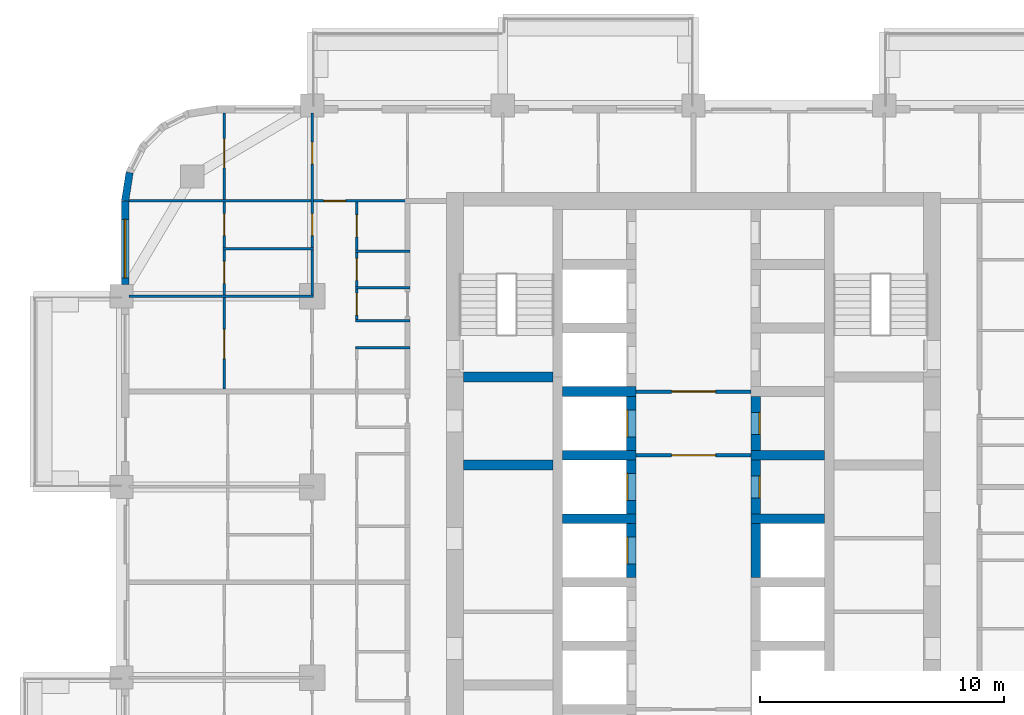
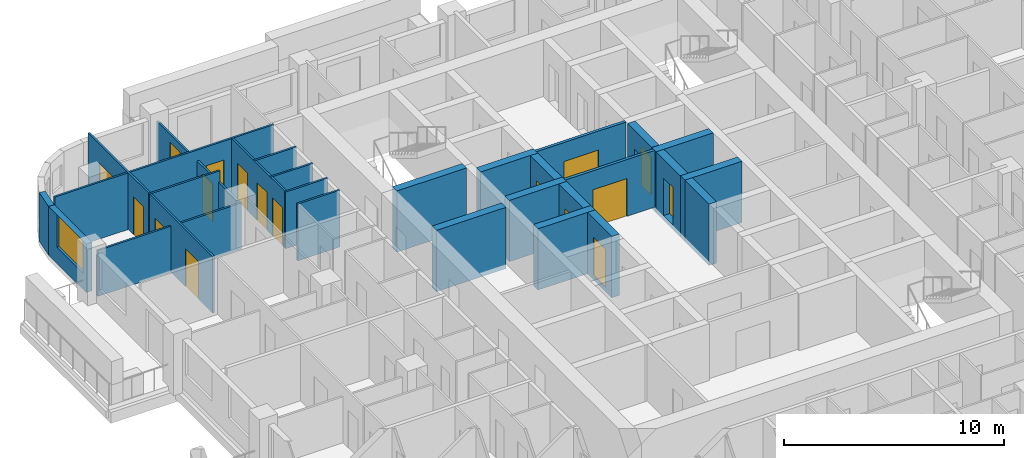
# One storey, part 10 of 18: 27 walls, 17 doors, 1 window, 18 openings.
"""IFC4 building model written with IfcOpenShell, lengths in metres."""

from ifc_helpers import new_model, si_unit, direction, frame, frame_2d, origin, place, context, subcontext, project, spatial, rectangle, extrude, material, layer, layer_set, type_object, element, fill, save


model = new_model("IFC4")

# Units and contexts
model_context = context("Model", 3, precision=1e-05, world=origin(), true_north=direction((0.0, 1.0)))
body_context = subcontext(model_context, "Body", "Model", "MODEL_VIEW")
ifc_project = project(units=[si_unit("LENGTHUNIT", "METRE"), si_unit("AREAUNIT", "SQUARE_METRE"), si_unit("VOLUMEUNIT", "CUBIC_METRE"), si_unit("PLANEANGLEUNIT", "RADIAN"), si_unit("MASSUNIT", "GRAM", prefix="KILO")], contexts=[model_context])

# Site, building, storey
site_placement = place(None, origin())
site = spatial("IfcSite", under=ifc_project, at=site_placement, CompositionType="ELEMENT")
building_placement = place(site_placement, origin())
building = spatial("IfcBuilding", under=site, at=building_placement, Name="Ludao Terraces", CompositionType="ELEMENT")
storey_placement = place(building_placement, frame((0.0, 0.0, 61.39990234375)))
storey = spatial("IfcBuildingStorey", under=building, at=storey_placement, Name="L16", CompositionType="ELEMENT", Elevation=61.39990234375)

# Wall, opening, window
ifc_material_1 = material(Name="Granite cladding", Category="masonry")
ifc_layer_1 = layer(ifc_material_1, 0.0400390625, Category="stone")
ifc_material_2 = material(Name="Mineral wool")
ifc_layer_2 = layer(ifc_material_2, 0.06005859375)
ifc_material_3 = material(Name="Concrete C40", Category="concrete")
ifc_layer_3 = layer(ifc_material_3, 0.199951171875, Category="concrete")
ifc_layer_set_1 = layer_set([ifc_layer_1, ifc_layer_2, ifc_layer_3], Name="ENV Stone-clad wall 300")
wall_type_1 = type_object("IfcWallType", Name="ENV Stone-clad wall 300", PredefinedType="SOLIDWALL", material=ifc_layer_set_1)
wall_1_placement = place(storey_placement, frame((61.75, 81.074951171875, 0.0), z_axis=(0.0, 0.0, 1.0), x_axis=(0.0, 1.0, 0.0)))
wall_1 = element("IfcWall", 1, at=wall_1_placement, inside=storey, type_object=wall_type_1, Name="EW-L16-W6", PredefinedType="SOLIDWALL", context=body_context, shape_type="SweptSolid", body=[
    extrude(rectangle(XDim=3.425048828125, YDim=0.300048828125, at=frame_2d((1.71240234375, 0.0))), origin(), (0.0, 0.0, 1.0), 2.7001953125),
])
opening_1_placement = place(wall_1_placement, frame((0.27490234375, 0.0, 0.89990234375)))
opening_1 = element("IfcOpeningElement", 2, at=opening_1_placement, cuts=wall_1, Name="Opening W1", PredefinedType="OPENING", context=body_context, shape_type="SweptSolid", body=[
    extrude(rectangle(XDim=2.39990234375, YDim=1.800048828125, at=frame_2d((1.199951171875, 0.89990234375))), frame((0.0, 0.16015625, 0.0), z_axis=(0.0, -1.0, 0.0), x_axis=(1.0, 0.0, 0.0)), (0.0, 0.0, 1.0), 0.320068359375),
])
ifc_material_4 = material(Name="Clear glass in aluminium frame", Category="aluminium")
ifc_layer_4 = layer(ifc_material_4, 0.06005859375)
ifc_layer_set_2 = layer_set([ifc_layer_4], Name="ENV Window W1 2400x1800")
window_type = type_object("IfcWindowType", Name="ENV Window W1 2400x1800", PartitioningType="DOUBLE_PANEL_VERTICAL", PredefinedType="WINDOW", material=ifc_layer_set_2)
window_placement = place(opening_1_placement, origin())
window = element("IfcWindow", 3, at=window_placement, inside=storey, type_object=window_type, Name="W-L16-W6-1", OverallHeight=1.800048828125, OverallWidth=2.39990234375, PartitioningType="DOUBLE_PANEL_VERTICAL", PredefinedType="WINDOW", context=body_context, shape_type="SweptSolid", body=[
    extrude(rectangle(XDim=2.39990234375, YDim=1.800048828125, at=frame_2d((1.199951171875, 0.89990234375))), frame((0.0, 0.030029296875, 0.0), z_axis=(0.0, -1.0, 0.0), x_axis=(1.0, 0.0, 0.0)), (0.0, 0.0, 1.0), 0.06005859375),
])
fill(opening_1, window)

# Wall
wall_2_placement = place(storey_placement, frame((61.93359375, 85.65869140625, 0.0), z_axis=(0.0, 0.0, 1.0), x_axis=(-0.156496880861, -0.987678452879, 0.0)))
element("IfcWall", 4, at=wall_2_placement, inside=storey, type_object=wall_type_1, Name="EW-L16-NW5", PredefinedType="SOLIDWALL", context=body_context, shape_type="SweptSolid", body=[
    extrude(rectangle(XDim=1.173095703125, YDim=0.300048828125, at=frame_2d((0.58642578125, 0.0))), origin(), (0.0, 0.0, 1.0), 2.7001953125),
])

# Wall, opening, door
ifc_material_5 = material(Name="Fire-rated gypsum plasterboard", Category="gypsum")
ifc_layer_5 = layer(ifc_material_5, 0.012451171875, Category="gypsum")
ifc_layer_6 = layer(ifc_material_2, 0.10009765625, Name="insulation")
ifc_material_6 = material(Name="Steel Q235", Category="steel")
ifc_layer_7 = layer(ifc_material_6, 0.02490234375, Name="stud")
ifc_layer_8 = layer(ifc_material_5, 0.012451171875, Category="gypsum")
ifc_layer_set_3 = layer_set([ifc_layer_5, ifc_layer_6, ifc_layer_7, ifc_layer_8], Name="INT Core partition 150")
wall_type_2 = type_object("IfcWallType", Name="INT Core partition 150", PredefinedType="PARTITIONING", material=ifc_layer_set_3)
wall_3_placement = place(storey_placement, frame((82.650146484375, 74.10009765625, 0.0), z_axis=(0.0, 0.0, 1.0), x_axis=(1.0, 0.0, 0.0)))
wall_3 = element("IfcWall", 5, at=wall_3_placement, inside=storey, type_object=wall_type_2, Name="PW-L16-PW058", PredefinedType="PARTITIONING", context=body_context, shape_type="SweptSolid", body=[
    extrude(rectangle(XDim=4.699951171875, YDim=0.14990234375, at=frame_2d((2.35009765625, 0.0))), origin(), (0.0, 0.0, 1.0), 3.150146484375),
])
opening_2_placement = place(wall_3_placement, frame((1.449951171875, 0.0, 0.0)))
opening_2 = element("IfcOpeningElement", 6, at=opening_2_placement, cuts=wall_3, Name="Opening R05-118", PredefinedType="OPENING", context=body_context, shape_type="SweptSolid", body=[
    extrude(rectangle(XDim=1.800048828125, YDim=2.10009765625, at=frame_2d((0.89990234375, 1.050048828125))), frame((0.0, 0.0849609375, 0.0), z_axis=(0.0, -1.0, 0.0), x_axis=(1.0, 0.0, 0.0)), (0.0, 0.0, 1.0), 0.169921875),
])
door_type_1 = type_object("IfcDoorType", Name="INT Fire lobby door 1800", OperationType="DOUBLE_DOOR_SINGLE_SWING", PredefinedType="DOOR", material=ifc_material_6)
door_1_placement = place(opening_2_placement, origin())
door_1 = element("IfcDoor", 7, at=door_1_placement, inside=storey, type_object=door_type_1, Name="DOOR 118", OperationType="DOUBLE_DOOR_SINGLE_SWING", OverallHeight=2.10009765625, OverallWidth=1.800048828125, PredefinedType="DOOR", context=body_context, shape_type="SweptSolid", body=[
    extrude(rectangle(XDim=1.800048828125, YDim=2.10009765625, at=frame_2d((0.89990234375, 1.050048828125))), frame((0.0, 0.02490234375, 0.0), z_axis=(0.0, -1.0, 0.0), x_axis=(1.0, 0.0, 0.0)), (0.0, 0.0, 1.0), 0.050048828125),
])
fill(opening_2, door_1)

wall_4_placement = place(storey_placement, frame((82.650146484375, 76.699951171875, 0.0), z_axis=(0.0, 0.0, 1.0), x_axis=(1.0, 0.0, 0.0)))
wall_4 = element("IfcWall", 8, at=wall_4_placement, inside=storey, type_object=wall_type_2, Name="PW-L16-PW065", PredefinedType="PARTITIONING", context=body_context, shape_type="SweptSolid", body=[
    extrude(rectangle(XDim=4.699951171875, YDim=0.14990234375, at=frame_2d((2.35009765625, 0.0))), origin(), (0.0, 0.0, 1.0), 3.150146484375),
])
opening_3_placement = place(wall_4_placement, frame((1.449951171875, 0.0, 0.0)))
opening_3 = element("IfcOpeningElement", 9, at=opening_3_placement, cuts=wall_4, Name="Opening R05-130", PredefinedType="OPENING", context=body_context, shape_type="SweptSolid", body=[
    extrude(rectangle(XDim=1.800048828125, YDim=2.10009765625, at=frame_2d((0.89990234375, 1.050048828125))), frame((0.0, 0.0849609375, 0.0), z_axis=(0.0, -1.0, 0.0), x_axis=(1.0, 0.0, 0.0)), (0.0, 0.0, 1.0), 0.169921875),
])
door_2_placement = place(opening_3_placement, origin())
door_2 = element("IfcDoor", 10, at=door_2_placement, inside=storey, type_object=door_type_1, Name="DOOR 130", OperationType="DOUBLE_DOOR_SINGLE_SWING", OverallHeight=2.10009765625, OverallWidth=1.800048828125, PredefinedType="DOOR", context=body_context, shape_type="SweptSolid", body=[
    extrude(rectangle(XDim=1.800048828125, YDim=2.10009765625, at=frame_2d((0.89990234375, 1.050048828125))), frame((0.0, 0.02490234375, 0.0), z_axis=(0.0, -1.0, 0.0), x_axis=(1.0, 0.0, 0.0)), (0.0, 0.0, 1.0), 0.050048828125),
])
fill(opening_3, door_2)

# Walls
ifc_material_7 = material(Name="Gypsum plasterboard", Category="gypsum")
ifc_layer_9 = layer(ifc_material_7, 0.012451171875, Category="gypsum")
ifc_layer_10 = layer(ifc_material_2, 0.06005859375, Name="insulation")
ifc_layer_11 = layer(ifc_material_6, 0.014892578125, Name="stud")
ifc_layer_12 = layer(ifc_material_7, 0.012451171875, Category="gypsum")
ifc_layer_set_4 = layer_set([ifc_layer_9, ifc_layer_10, ifc_layer_11, ifc_layer_12], Name="INT Partition 100")
wall_type_3 = type_object("IfcWallType", Name="INT Partition 100", PredefinedType="PARTITIONING", material=ifc_layer_set_4)
for number, where, z_axis, x_axis, name in (
    (11, (71.18017578125, 78.5, 0.0), (0.0, 0.0, 1.0), (1.0, 0.0, 0.0), "PW-L16-PW067"),
    (12, (71.18017578125, 79.60009765625, 0.0), (0.0, 0.0, 1.0), (1.0, 0.0, 0.0), "PW-L16-PW069"),
):
    element("IfcWall", number, at=place(storey_placement, frame(where, z_axis=z_axis, x_axis=x_axis)), inside=storey, type_object=wall_type_3, Name=name, PredefinedType="PARTITIONING", context=body_context, shape_type="SweptSolid", body=[
        extrude(rectangle(XDim=2.219970703125, YDim=0.10009765625, at=frame_2d((1.10986328125, 0.0))), origin(), (0.0, 0.0, 1.0), 3.150146484375),
    ])
wall_5_placement = place(storey_placement, frame((61.900146484375, 80.60009765625, 0.0), z_axis=(0.0, 0.0, 1.0), x_axis=(1.0, 0.0, 0.0)))
element("IfcWall", 13, at=wall_5_placement, inside=storey, type_object=wall_type_3, Name="PW-L16-PW070", PredefinedType="PARTITIONING", context=body_context, shape_type="SweptSolid", body=[
    extrude(rectangle(XDim=7.550048828125, YDim=0.10009765625, at=frame_2d((3.77490234375, 0.0))), origin(), (0.0, 0.0, 1.0), 2.550048828125),
])
for number, where, z_axis, x_axis, name in (
    (14, (71.18017578125, 80.949951171875, 0.0), (0.0, 0.0, 1.0), (1.0, 0.0, 0.0), "PW-L16-PW072"),
    (15, (71.18017578125, 82.449951171875, 0.0), (0.0, 0.0, 1.0), (1.0, 0.0, 0.0), "PW-L16-PW074"),
):
    element("IfcWall", number, at=place(storey_placement, frame(where, z_axis=z_axis, x_axis=x_axis)), inside=storey, type_object=wall_type_3, Name=name, PredefinedType="PARTITIONING", context=body_context, shape_type="SweptSolid", body=[
        extrude(rectangle(XDim=2.219970703125, YDim=0.10009765625, at=frame_2d((1.10986328125, 0.0))), origin(), (0.0, 0.0, 1.0), 3.150146484375),
    ])
wall_6_placement = place(storey_placement, frame((65.75, 82.550048828125, 0.0), z_axis=(0.0, 0.0, 1.0), x_axis=(1.0, 0.0, 0.0)))
element("IfcWall", 16, at=wall_6_placement, inside=storey, type_object=wall_type_3, Name="PW-L16-PW075", PredefinedType="PARTITIONING", context=body_context, shape_type="SweptSolid", body=[
    extrude(rectangle(XDim=3.7001953125, YDim=0.10009765625, at=frame_2d((1.85009765625, 0.0))), origin(), (0.0, 0.0, 1.0), 3.150146484375),
])

# Wall, opening, door
wall_7_placement = place(storey_placement, frame((61.900146484375, 84.5, 0.0), z_axis=(0.0, 0.0, 1.0), x_axis=(1.0, 0.0, 0.0)))
wall_7 = element("IfcWall", 17, at=wall_7_placement, inside=storey, type_object=wall_type_3, Name="PW-L16-PW077", PredefinedType="PARTITIONING", context=body_context, shape_type="SweptSolid", body=[
    extrude(rectangle(XDim=11.5, YDim=0.10009765625, at=frame_2d((5.75, 0.0))), origin(), (0.0, 0.0, 1.0), 3.150146484375),
])
opening_4_placement = place(wall_7_placement, frame((7.965087890625, 0.0, 0.0)))
opening_4 = element("IfcOpeningElement", 18, at=opening_4_placement, cuts=wall_7, Name="Opening R05-157", PredefinedType="OPENING", context=body_context, shape_type="SweptSolid", body=[
    extrude(rectangle(XDim=0.89990234375, YDim=2.10009765625, at=frame_2d((0.449951171875, 1.050048828125))), frame((0.0, 0.06005859375, 0.0), z_axis=(0.0, -1.0, 0.0), x_axis=(1.0, 0.0, 0.0)), (0.0, 0.0, 1.0), 0.1201171875),
])
ifc_material_8 = material(Name="Timber door leaf", Category="wood")
door_type_2 = type_object("IfcDoorType", Name="INT Room door 900", OperationType="SINGLE_SWING_LEFT", PredefinedType="DOOR", material=ifc_material_8)
door_3_placement = place(opening_4_placement, origin())
door_3 = element("IfcDoor", 19, at=door_3_placement, inside=storey, type_object=door_type_2, Name="DOOR 157", OperationType="SINGLE_SWING_RIGHT", OverallHeight=2.10009765625, OverallWidth=0.89990234375, PredefinedType="DOOR", context=body_context, shape_type="SweptSolid", body=[
    extrude(rectangle(XDim=0.89990234375, YDim=2.10009765625, at=frame_2d((0.449951171875, 1.050048828125))), frame((0.0, 0.02490234375, 0.0), z_axis=(0.0, -1.0, 0.0), x_axis=(1.0, 0.0, 0.0)), (0.0, 0.0, 1.0), 0.050048828125),
])
fill(opening_4, door_3)

# Wall, openings, doors
wall_8_placement = place(storey_placement, frame((65.800048828125, 76.800048828125, 0.0), z_axis=(0.0, 0.0, 1.0), x_axis=(0.0, 1.0, 0.0)))
wall_8 = element("IfcWall", 20, at=wall_8_placement, inside=storey, type_object=wall_type_3, Name="PW-L16-PW082", PredefinedType="PARTITIONING", context=body_context, shape_type="SweptSolid", body=[
    extrude(rectangle(XDim=11.300048828125, YDim=0.10009765625, at=frame_2d((5.64990234375, 0.0))), origin(), (0.0, 0.0, 1.0), 3.150146484375),
])
opening_5_placement = place(wall_8_placement, frame((1.25, 0.0, 0.0)))
opening_5 = element("IfcOpeningElement", 21, at=opening_5_placement, cuts=wall_8, Name="Opening R05-137", PredefinedType="OPENING", context=body_context, shape_type="SweptSolid", body=[
    extrude(rectangle(XDim=1.199951171875, YDim=2.10009765625, at=frame_2d((0.60009765625, 1.050048828125))), frame((0.0, 0.06005859375, 0.0), z_axis=(0.0, -1.0, 0.0), x_axis=(1.0, 0.0, 0.0)), (0.0, 0.0, 1.0), 0.1201171875),
])
opening_6_placement = place(wall_8_placement, frame((4.324951171875, 0.0, 0.0)))
opening_6 = element("IfcOpeningElement", 22, at=opening_6_placement, cuts=wall_8, Name="Opening R05-146", PredefinedType="OPENING", context=body_context, shape_type="SweptSolid", body=[
    extrude(rectangle(XDim=0.89990234375, YDim=2.10009765625, at=frame_2d((0.449951171875, 1.050048828125))), frame((0.0, 0.06005859375, 0.0), z_axis=(0.0, -1.0, 0.0), x_axis=(1.0, 0.0, 0.0)), (0.0, 0.0, 1.0), 0.1201171875),
])
opening_7_placement = place(wall_8_placement, frame((6.27490234375, 0.0, 0.0)))
opening_7 = element("IfcOpeningElement", 23, at=opening_7_placement, cuts=wall_8, Name="Opening R05-153", PredefinedType="OPENING", context=body_context, shape_type="SweptSolid", body=[
    extrude(rectangle(XDim=0.89990234375, YDim=2.10009765625, at=frame_2d((0.449951171875, 1.050048828125))), frame((0.0, 0.06005859375, 0.0), z_axis=(0.0, -1.0, 0.0), x_axis=(1.0, 0.0, 0.0)), (0.0, 0.0, 1.0), 0.1201171875),
])
opening_8_placement = place(wall_8_placement, frame((9.050048828125, 0.0, 0.0)))
opening_8 = element("IfcOpeningElement", 24, at=opening_8_placement, cuts=wall_8, Name="Opening R05-159", PredefinedType="OPENING", context=body_context, shape_type="SweptSolid", body=[
    extrude(rectangle(XDim=1.199951171875, YDim=2.10009765625, at=frame_2d((0.60009765625, 1.050048828125))), frame((0.0, 0.06005859375, 0.0), z_axis=(0.0, -1.0, 0.0), x_axis=(1.0, 0.0, 0.0)), (0.0, 0.0, 1.0), 0.1201171875),
])
door_type_3 = type_object("IfcDoorType", Name="INT Bathroom door 900", OperationType="SINGLE_SWING_LEFT", PredefinedType="DOOR", material=ifc_material_8)
door_4_placement = place(opening_6_placement, origin())
door_4 = element("IfcDoor", 25, at=door_4_placement, inside=storey, type_object=door_type_3, Name="DOOR 146", OperationType="SINGLE_SWING_RIGHT", OverallHeight=2.10009765625, OverallWidth=0.89990234375, PredefinedType="DOOR", context=body_context, shape_type="SweptSolid", body=[
    extrude(rectangle(XDim=0.89990234375, YDim=2.10009765625, at=frame_2d((0.449951171875, 1.050048828125))), frame((0.0, 0.02490234375, 0.0), z_axis=(0.0, -1.0, 0.0), x_axis=(1.0, 0.0, 0.0)), (0.0, 0.0, 1.0), 0.050048828125),
])
fill(opening_6, door_4)
door_type_4 = type_object("IfcDoorType", Name="INT Double door 1200", OperationType="DOUBLE_DOOR_SINGLE_SWING", PredefinedType="DOOR", material=ifc_material_8)
door_5_placement = place(opening_5_placement, origin())
door_5 = element("IfcDoor", 26, at=door_5_placement, inside=storey, type_object=door_type_4, Name="DOOR 137", OperationType="DOUBLE_DOOR_SINGLE_SWING", OverallHeight=2.10009765625, OverallWidth=1.199951171875, PredefinedType="DOOR", context=body_context, shape_type="SweptSolid", body=[
    extrude(rectangle(XDim=1.199951171875, YDim=2.10009765625, at=frame_2d((0.60009765625, 1.050048828125))), frame((0.0, 0.02490234375, 0.0), z_axis=(0.0, -1.0, 0.0), x_axis=(1.0, 0.0, 0.0)), (0.0, 0.0, 1.0), 0.050048828125),
])
fill(opening_5, door_5)
door_6_placement = place(opening_8_placement, origin())
door_6 = element("IfcDoor", 27, at=door_6_placement, inside=storey, type_object=door_type_4, Name="DOOR 159", OperationType="DOUBLE_DOOR_SINGLE_SWING", OverallHeight=2.10009765625, OverallWidth=1.199951171875, PredefinedType="DOOR", context=body_context, shape_type="SweptSolid", body=[
    extrude(rectangle(XDim=1.199951171875, YDim=2.10009765625, at=frame_2d((0.60009765625, 1.050048828125))), frame((0.0, 0.02490234375, 0.0), z_axis=(0.0, -1.0, 0.0), x_axis=(1.0, 0.0, 0.0)), (0.0, 0.0, 1.0), 0.050048828125),
])
fill(opening_8, door_6)
door_7_placement = place(opening_7_placement, origin())
door_7 = element("IfcDoor", 28, at=door_7_placement, inside=storey, type_object=door_type_2, Name="DOOR 153", OperationType="SINGLE_SWING_RIGHT", OverallHeight=2.10009765625, OverallWidth=0.89990234375, PredefinedType="DOOR", context=body_context, shape_type="SweptSolid", body=[
    extrude(rectangle(XDim=0.89990234375, YDim=2.10009765625, at=frame_2d((0.449951171875, 1.050048828125))), frame((0.0, 0.02490234375, 0.0), z_axis=(0.0, -1.0, 0.0), x_axis=(1.0, 0.0, 0.0)), (0.0, 0.0, 1.0), 0.050048828125),
])
fill(opening_7, door_7)

wall_9_placement = place(storey_placement, frame((69.39990234375, 80.60009765625, 0.0), z_axis=(0.0, 0.0, 1.0), x_axis=(0.0, 1.0, 0.0)))
wall_9 = element("IfcWall", 29, at=wall_9_placement, inside=storey, type_object=wall_type_3, Name="PW-L16-PW085-3", PredefinedType="PARTITIONING", context=body_context, shape_type="SweptSolid", body=[
    extrude(rectangle(XDim=7.5, YDim=0.10009765625, at=frame_2d((3.75, 0.0))), origin(), (0.0, 0.0, 1.0), 2.550048828125),
])
opening_9_placement = place(wall_9_placement, frame((2.47509765625, 0.0, 0.0)))
opening_9 = element("IfcOpeningElement", 30, at=opening_9_placement, cuts=wall_9, Name="Opening R05-154", PredefinedType="OPENING", context=body_context, shape_type="SweptSolid", body=[
    extrude(rectangle(XDim=0.89990234375, YDim=2.10009765625, at=frame_2d((0.449951171875, 1.050048828125))), frame((0.0, 0.06005859375, 0.0), z_axis=(0.0, -1.0, 0.0), x_axis=(1.0, 0.0, 0.0)), (0.0, 0.0, 1.0), 0.1201171875),
])
opening_10_placement = place(wall_9_placement, frame((5.39990234375, 0.0, 0.0)))
opening_10 = element("IfcOpeningElement", 31, at=opening_10_placement, cuts=wall_9, Name="Opening R05-160", PredefinedType="OPENING", context=body_context, shape_type="SweptSolid", body=[
    extrude(rectangle(XDim=0.89990234375, YDim=2.10009765625, at=frame_2d((0.449951171875, 1.050048828125))), frame((0.0, 0.06005859375, 0.0), z_axis=(0.0, -1.0, 0.0), x_axis=(1.0, 0.0, 0.0)), (0.0, 0.0, 1.0), 0.1201171875),
])
door_8_placement = place(opening_9_placement, origin())
door_8 = element("IfcDoor", 32, at=door_8_placement, inside=storey, type_object=door_type_2, Name="DOOR 154", OperationType="SINGLE_SWING_LEFT", OverallHeight=2.10009765625, OverallWidth=0.89990234375, PredefinedType="DOOR", context=body_context, shape_type="SweptSolid", body=[
    extrude(rectangle(XDim=0.89990234375, YDim=2.10009765625, at=frame_2d((0.449951171875, 1.050048828125))), frame((0.0, 0.02490234375, 0.0), z_axis=(0.0, -1.0, 0.0), x_axis=(1.0, 0.0, 0.0)), (0.0, 0.0, 1.0), 0.050048828125),
])
fill(opening_9, door_8)
door_9_placement = place(opening_10_placement, origin())
door_9 = element("IfcDoor", 33, at=door_9_placement, inside=storey, type_object=door_type_2, Name="DOOR 160", OperationType="SINGLE_SWING_RIGHT", OverallHeight=2.10009765625, OverallWidth=0.89990234375, PredefinedType="DOOR", context=body_context, shape_type="SweptSolid", body=[
    extrude(rectangle(XDim=0.89990234375, YDim=2.10009765625, at=frame_2d((0.449951171875, 1.050048828125))), frame((0.0, 0.02490234375, 0.0), z_axis=(0.0, -1.0, 0.0), x_axis=(1.0, 0.0, 0.0)), (0.0, 0.0, 1.0), 0.050048828125),
])
fill(opening_10, door_9)

wall_10_placement = place(storey_placement, frame((71.22998046875, 79.650146484375, 0.0), z_axis=(0.0, 0.0, 1.0), x_axis=(0.0, 1.0, 0.0)))
wall_10 = element("IfcWall", 34, at=wall_10_placement, inside=storey, type_object=wall_type_3, Name="PW-L16-PW090", PredefinedType="PARTITIONING", context=body_context, shape_type="SweptSolid", body=[
    extrude(rectangle(XDim=4.800048828125, YDim=0.10009765625, at=frame_2d((2.39990234375, 0.0))), origin(), (0.0, 0.0, 1.0), 3.150146484375),
])
opening_11_placement = place(wall_10_placement, frame((0.175048828125, 0.0, 0.0)))
opening_11 = element("IfcOpeningElement", 35, at=opening_11_placement, cuts=wall_10, Name="Opening R05-141", PredefinedType="OPENING", context=body_context, shape_type="SweptSolid", body=[
    extrude(rectangle(XDim=0.89990234375, YDim=2.10009765625, at=frame_2d((0.449951171875, 1.050048828125))), frame((0.0, 0.06005859375, 0.0), z_axis=(0.0, -1.0, 0.0), x_axis=(1.0, 0.0, 0.0)), (0.0, 0.0, 1.0), 0.1201171875),
])
opening_12_placement = place(wall_10_placement, frame((1.60009765625, 0.0, 0.0)))
opening_12 = element("IfcOpeningElement", 36, at=opening_12_placement, cuts=wall_10, Name="Opening R05-148", PredefinedType="OPENING", context=body_context, shape_type="SweptSolid", body=[
    extrude(rectangle(XDim=0.89990234375, YDim=2.10009765625, at=frame_2d((0.449951171875, 1.050048828125))), frame((0.0, 0.06005859375, 0.0), z_axis=(0.0, -1.0, 0.0), x_axis=(1.0, 0.0, 0.0)), (0.0, 0.0, 1.0), 0.1201171875),
])
opening_13_placement = place(wall_10_placement, frame((3.375, 0.0, 0.0)))
opening_13 = element("IfcOpeningElement", 37, at=opening_13_placement, cuts=wall_10, Name="Opening R05-152", PredefinedType="OPENING", context=body_context, shape_type="SweptSolid", body=[
    extrude(rectangle(XDim=0.89990234375, YDim=2.10009765625, at=frame_2d((0.449951171875, 1.050048828125))), frame((0.0, 0.06005859375, 0.0), z_axis=(0.0, -1.0, 0.0), x_axis=(1.0, 0.0, 0.0)), (0.0, 0.0, 1.0), 0.1201171875),
])
door_10_placement = place(opening_11_placement, origin())
door_10 = element("IfcDoor", 38, at=door_10_placement, inside=storey, type_object=door_type_3, Name="DOOR 141", OperationType="SINGLE_SWING_RIGHT", OverallHeight=2.10009765625, OverallWidth=0.89990234375, PredefinedType="DOOR", context=body_context, shape_type="SweptSolid", body=[
    extrude(rectangle(XDim=0.89990234375, YDim=2.10009765625, at=frame_2d((0.449951171875, 1.050048828125))), frame((0.0, 0.02490234375, 0.0), z_axis=(0.0, -1.0, 0.0), x_axis=(1.0, 0.0, 0.0)), (0.0, 0.0, 1.0), 0.050048828125),
])
fill(opening_11, door_10)
door_11_placement = place(opening_12_placement, origin())
door_11 = element("IfcDoor", 39, at=door_11_placement, inside=storey, type_object=door_type_3, Name="DOOR 148", OperationType="SINGLE_SWING_RIGHT", OverallHeight=2.10009765625, OverallWidth=0.89990234375, PredefinedType="DOOR", context=body_context, shape_type="SweptSolid", body=[
    extrude(rectangle(XDim=0.89990234375, YDim=2.10009765625, at=frame_2d((0.449951171875, 1.050048828125))), frame((0.0, 0.02490234375, 0.0), z_axis=(0.0, -1.0, 0.0), x_axis=(1.0, 0.0, 0.0)), (0.0, 0.0, 1.0), 0.050048828125),
])
fill(opening_12, door_11)
door_12_placement = place(opening_13_placement, origin())
door_12 = element("IfcDoor", 40, at=door_12_placement, inside=storey, type_object=door_type_2, Name="DOOR 152", OperationType="SINGLE_SWING_LEFT", OverallHeight=2.10009765625, OverallWidth=0.89990234375, PredefinedType="DOOR", context=body_context, shape_type="SweptSolid", body=[
    extrude(rectangle(XDim=0.89990234375, YDim=2.10009765625, at=frame_2d((0.449951171875, 1.050048828125))), frame((0.0, 0.02490234375, 0.0), z_axis=(0.0, -1.0, 0.0), x_axis=(1.0, 0.0, 0.0)), (0.0, 0.0, 1.0), 0.050048828125),
])
fill(opening_13, door_12)

# Wall, opening, door
ifc_material_9 = material(Name="Concrete C60", Category="concrete")
ifc_layer_13 = layer(ifc_material_9, 0.39990234375)
ifc_layer_set_5 = layer_set([ifc_layer_13], Name="Shaft wall 400 C60")
wall_type_4 = type_object("IfcWallType", Name="Shaft wall 400 C60", PredefinedType="SOLIDWALL", material=ifc_layer_set_5)
wall_11_placement = place(storey_placement, frame((82.449951171875, 69.10009765625, -0.25), z_axis=(0.0, 0.0, 1.0), x_axis=(0.0, 1.0, 0.0)))
wall_11 = element("IfcWall", 41, at=wall_11_placement, inside=storey, type_object=wall_type_4, Name="Core wall L16 front-W4", PredefinedType="SOLIDWALL", context=body_context, shape_type="SweptSolid", body=[
    extrude(rectangle(XDim=2.199951171875, YDim=0.39990234375, at=frame_2d((1.10009765625, 0.0))), origin(), (0.0, 0.0, 1.0), 3.400146484375),
])
opening_14_placement = place(wall_11_placement, frame((0.550048828125, 0.0, 0.25)))
opening_14 = element("IfcOpeningElement", 42, at=opening_14_placement, cuts=wall_11, Name="Opening LD-LA4", PredefinedType="OPENING", context=body_context, shape_type="SweptSolid", body=[
    extrude(rectangle(XDim=1.10009765625, YDim=2.10009765625, at=frame_2d((0.550048828125, 1.050048828125))), frame((0.0, 0.2099609375, 0.0), z_axis=(0.0, -1.0, 0.0), x_axis=(1.0, 0.0, 0.0)), (0.0, 0.0, 1.0), 0.419921875),
])
ifc_material_10 = material(Name="Stainless steel 304", Category="steel")
door_type_5 = type_object("IfcDoorType", Name="INT Lift landing door 1100", OperationType="SLIDING_TO_LEFT", PredefinedType="DOOR", material=ifc_material_10)
door_13_placement = place(opening_14_placement, origin())
door_13 = element("IfcDoor", 43, at=door_13_placement, inside=storey, type_object=door_type_5, Name="LANDING DOOR LA4 L16", OperationType="SLIDING_TO_LEFT", OverallHeight=2.10009765625, OverallWidth=1.10009765625, PredefinedType="DOOR", context=body_context, shape_type="SweptSolid", body=[
    extrude(rectangle(XDim=1.10009765625, YDim=2.10009765625, at=frame_2d((0.550048828125, 1.050048828125))), frame((0.0, 0.18505859375, 0.0), z_axis=(0.0, -1.0, 0.0), x_axis=(1.0, 0.0, 0.0)), (0.0, 0.0, 1.0), 0.050048828125),
])
fill(opening_14, door_13)

# Wall
wall_12_placement = place(storey_placement, frame((79.64990234375, 71.5, -0.25), z_axis=(0.0, 0.0, 1.0), x_axis=(1.0, 0.0, 0.0)))
element("IfcWall", 44, at=wall_12_placement, inside=storey, type_object=wall_type_4, Name="Core wall L16 div-W5", PredefinedType="SOLIDWALL", context=body_context, shape_type="SweptSolid", body=[
    extrude(rectangle(XDim=3.0, YDim=0.39990234375, at=frame_2d((1.5, 0.0))), origin(), (0.0, 0.0, 1.0), 3.400146484375),
])

# Wall, opening, door
wall_13_placement = place(storey_placement, frame((82.449951171875, 71.699951171875, -0.25), z_axis=(0.0, 0.0, 1.0), x_axis=(0.0, 1.0, 0.0)))
wall_13 = element("IfcWall", 45, at=wall_13_placement, inside=storey, type_object=wall_type_4, Name="Core wall L16 front-W5", PredefinedType="SOLIDWALL", context=body_context, shape_type="SweptSolid", body=[
    extrude(rectangle(XDim=2.199951171875, YDim=0.39990234375, at=frame_2d((1.10009765625, 0.0))), origin(), (0.0, 0.0, 1.0), 3.400146484375),
])
opening_15_placement = place(wall_13_placement, frame((0.550048828125, 0.0, 0.25)))
opening_15 = element("IfcOpeningElement", 46, at=opening_15_placement, cuts=wall_13, Name="Opening LD-LA5", PredefinedType="OPENING", context=body_context, shape_type="SweptSolid", body=[
    extrude(rectangle(XDim=1.10009765625, YDim=2.10009765625, at=frame_2d((0.550048828125, 1.050048828125))), frame((0.0, 0.2099609375, 0.0), z_axis=(0.0, -1.0, 0.0), x_axis=(1.0, 0.0, 0.0)), (0.0, 0.0, 1.0), 0.419921875),
])
door_14_placement = place(opening_15_placement, origin())
door_14 = element("IfcDoor", 47, at=door_14_placement, inside=storey, type_object=door_type_5, Name="LANDING DOOR LA5 L16", OperationType="SLIDING_TO_LEFT", OverallHeight=2.10009765625, OverallWidth=1.10009765625, PredefinedType="DOOR", context=body_context, shape_type="SweptSolid", body=[
    extrude(rectangle(XDim=1.10009765625, YDim=2.10009765625, at=frame_2d((0.550048828125, 1.050048828125))), frame((0.0, 0.18505859375, 0.0), z_axis=(0.0, -1.0, 0.0), x_axis=(1.0, 0.0, 0.0)), (0.0, 0.0, 1.0), 0.050048828125),
])
fill(opening_15, door_14)

# Wall
wall_14_placement = place(storey_placement, frame((79.64990234375, 74.10009765625, -0.25), z_axis=(0.0, 0.0, 1.0), x_axis=(1.0, 0.0, 0.0)))
element("IfcWall", 48, at=wall_14_placement, inside=storey, type_object=wall_type_4, Name="Core wall L16 div-W6", PredefinedType="SOLIDWALL", context=body_context, shape_type="SweptSolid", body=[
    extrude(rectangle(XDim=3.0, YDim=0.39990234375, at=frame_2d((1.5, 0.0))), origin(), (0.0, 0.0, 1.0), 3.400146484375),
])

# Wall, opening, door
wall_15_placement = place(storey_placement, frame((82.449951171875, 74.300048828125, -0.25), z_axis=(0.0, 0.0, 1.0), x_axis=(0.0, 1.0, 0.0)))
wall_15 = element("IfcWall", 49, at=wall_15_placement, inside=storey, type_object=wall_type_4, Name="Core wall L16 front-W6", PredefinedType="SOLIDWALL", context=body_context, shape_type="SweptSolid", body=[
    extrude(rectangle(XDim=2.199951171875, YDim=0.39990234375, at=frame_2d((1.10009765625, 0.0))), origin(), (0.0, 0.0, 1.0), 3.400146484375),
])
opening_16_placement = place(wall_15_placement, frame((0.550048828125, 0.0, 0.25)))
opening_16 = element("IfcOpeningElement", 50, at=opening_16_placement, cuts=wall_15, Name="Opening LD-LA6", PredefinedType="OPENING", context=body_context, shape_type="SweptSolid", body=[
    extrude(rectangle(XDim=1.10009765625, YDim=2.10009765625, at=frame_2d((0.550048828125, 1.050048828125))), frame((0.0, 0.2099609375, 0.0), z_axis=(0.0, -1.0, 0.0), x_axis=(1.0, 0.0, 0.0)), (0.0, 0.0, 1.0), 0.419921875),
])
door_15_placement = place(opening_16_placement, origin())
door_15 = element("IfcDoor", 51, at=door_15_placement, inside=storey, type_object=door_type_5, Name="LANDING DOOR LA6 L16", OperationType="SLIDING_TO_LEFT", OverallHeight=2.10009765625, OverallWidth=1.10009765625, PredefinedType="DOOR", context=body_context, shape_type="SweptSolid", body=[
    extrude(rectangle(XDim=1.10009765625, YDim=2.10009765625, at=frame_2d((0.550048828125, 1.050048828125))), frame((0.0, 0.18505859375, 0.0), z_axis=(0.0, -1.0, 0.0), x_axis=(1.0, 0.0, 0.0)), (0.0, 0.0, 1.0), 0.050048828125),
])
fill(opening_16, door_15)

# Walls
wall_16_placement = place(storey_placement, frame((79.64990234375, 76.699951171875, -0.25), z_axis=(0.0, 0.0, 1.0), x_axis=(1.0, 0.0, 0.0)))
element("IfcWall", 52, at=wall_16_placement, inside=storey, type_object=wall_type_4, Name="Core wall L16 div-W7", PredefinedType="SOLIDWALL", context=body_context, shape_type="SweptSolid", body=[
    extrude(rectangle(XDim=3.0, YDim=0.39990234375, at=frame_2d((1.5, 0.0))), origin(), (0.0, 0.0, 1.0), 3.400146484375),
])
wall_17_placement = place(storey_placement, frame((87.550048828125, 69.10009765625, -0.25), z_axis=(0.0, 0.0, 1.0), x_axis=(0.0, 1.0, 0.0)))
element("IfcWall", 53, at=wall_17_placement, inside=storey, type_object=wall_type_4, Name="Core wall L16 front-E4", PredefinedType="SOLIDWALL", context=body_context, shape_type="SweptSolid", body=[
    extrude(rectangle(XDim=2.199951171875, YDim=0.39990234375, at=frame_2d((1.10009765625, 0.0))), origin(), (0.0, 0.0, 1.0), 3.400146484375),
])
wall_18_placement = place(storey_placement, frame((87.35009765625, 71.5, -0.25), z_axis=(0.0, 0.0, 1.0), x_axis=(1.0, 0.0, 0.0)))
element("IfcWall", 54, at=wall_18_placement, inside=storey, type_object=wall_type_4, Name="Core wall L16 div-E5", PredefinedType="SOLIDWALL", context=body_context, shape_type="SweptSolid", body=[
    extrude(rectangle(XDim=3.0, YDim=0.39990234375, at=frame_2d((1.5, 0.0))), origin(), (0.0, 0.0, 1.0), 3.400146484375),
])

# Wall, opening, door
wall_19_placement = place(storey_placement, frame((87.550048828125, 71.699951171875, -0.25), z_axis=(0.0, 0.0, 1.0), x_axis=(0.0, 1.0, 0.0)))
wall_19 = element("IfcWall", 55, at=wall_19_placement, inside=storey, type_object=wall_type_4, Name="Core wall L16 front-E5", PredefinedType="SOLIDWALL", context=body_context, shape_type="SweptSolid", body=[
    extrude(rectangle(XDim=2.199951171875, YDim=0.39990234375, at=frame_2d((1.10009765625, 0.0))), origin(), (0.0, 0.0, 1.0), 3.400146484375),
])
opening_17_placement = place(wall_19_placement, frame((0.64990234375, 0.0, 0.25)))
opening_17 = element("IfcOpeningElement", 56, at=opening_17_placement, cuts=wall_19, Name="Opening R05-115", PredefinedType="OPENING", context=body_context, shape_type="SweptSolid", body=[
    extrude(rectangle(XDim=0.89990234375, YDim=2.10009765625, at=frame_2d((0.449951171875, 1.050048828125))), frame((0.0, 0.2099609375, 0.0), z_axis=(0.0, -1.0, 0.0), x_axis=(1.0, 0.0, 0.0)), (0.0, 0.0, 1.0), 0.419921875),
])
door_16_placement = place(opening_17_placement, origin())
door_16 = element("IfcDoor", 57, at=door_16_placement, inside=storey, type_object=door_type_2, Name="DOOR 115", OperationType="SINGLE_SWING_RIGHT", OverallHeight=2.10009765625, OverallWidth=0.89990234375, PredefinedType="DOOR", context=body_context, shape_type="SweptSolid", body=[
    extrude(rectangle(XDim=0.89990234375, YDim=2.10009765625, at=frame_2d((0.449951171875, 1.050048828125))), frame((0.0, -0.134765625, 0.0), z_axis=(0.0, -1.0, 0.0), x_axis=(1.0, 0.0, 0.0)), (0.0, 0.0, 1.0), 0.050048828125),
])
fill(opening_17, door_16)

# Wall
wall_20_placement = place(storey_placement, frame((87.35009765625, 74.10009765625, -0.25), z_axis=(0.0, 0.0, 1.0), x_axis=(1.0, 0.0, 0.0)))
element("IfcWall", 58, at=wall_20_placement, inside=storey, type_object=wall_type_4, Name="Core wall L16 div-E6", PredefinedType="SOLIDWALL", context=body_context, shape_type="SweptSolid", body=[
    extrude(rectangle(XDim=3.0, YDim=0.39990234375, at=frame_2d((1.5, 0.0))), origin(), (0.0, 0.0, 1.0), 3.400146484375),
])

# Wall, opening, door
wall_21_placement = place(storey_placement, frame((87.550048828125, 74.300048828125, -0.25), z_axis=(0.0, 0.0, 1.0), x_axis=(0.0, 1.0, 0.0)))
wall_21 = element("IfcWall", 59, at=wall_21_placement, inside=storey, type_object=wall_type_4, Name="Core wall L16 front-E6", PredefinedType="SOLIDWALL", context=body_context, shape_type="SweptSolid", body=[
    extrude(rectangle(XDim=2.199951171875, YDim=0.39990234375, at=frame_2d((1.10009765625, 0.0))), origin(), (0.0, 0.0, 1.0), 3.400146484375),
])
opening_18_placement = place(wall_21_placement, frame((0.64990234375, 0.0, 0.25)))
opening_18 = element("IfcOpeningElement", 60, at=opening_18_placement, cuts=wall_21, Name="Opening R05-122", PredefinedType="OPENING", context=body_context, shape_type="SweptSolid", body=[
    extrude(rectangle(XDim=0.89990234375, YDim=2.10009765625, at=frame_2d((0.449951171875, 1.050048828125))), frame((0.0, 0.2099609375, 0.0), z_axis=(0.0, -1.0, 0.0), x_axis=(1.0, 0.0, 0.0)), (0.0, 0.0, 1.0), 0.419921875),
])
door_17_placement = place(opening_18_placement, origin())
door_17 = element("IfcDoor", 61, at=door_17_placement, inside=storey, type_object=door_type_2, Name="DOOR 122", OperationType="SINGLE_SWING_RIGHT", OverallHeight=2.10009765625, OverallWidth=0.89990234375, PredefinedType="DOOR", context=body_context, shape_type="SweptSolid", body=[
    extrude(rectangle(XDim=0.89990234375, YDim=2.10009765625, at=frame_2d((0.449951171875, 1.050048828125))), frame((0.0, -0.134765625, 0.0), z_axis=(0.0, -1.0, 0.0), x_axis=(1.0, 0.0, 0.0)), (0.0, 0.0, 1.0), 0.050048828125),
])
fill(opening_18, door_17)

# Walls
for number, where, z_axis, x_axis, name in (
    (62, (75.60009765625, 73.699951171875, -0.25), (0.0, 0.0, 1.0), (1.0, 0.0, 0.0), "Core wall L16 riser-b-W"),
    (63, (75.60009765625, 77.300048828125, -0.25), (0.0, 0.0, 1.0), (1.0, 0.0, 0.0), "Core wall L16 stair-W"),
):
    element("IfcWall", number, at=place(storey_placement, frame(where, z_axis=z_axis, x_axis=x_axis)), inside=storey, type_object=wall_type_4, Name=name, PredefinedType="SOLIDWALL", context=body_context, shape_type="SweptSolid", body=[
        extrude(rectangle(XDim=3.64990234375, YDim=0.39990234375, at=frame_2d((1.824951171875, 0.0))), origin(), (0.0, 0.0, 1.0), 3.400146484375),
    ])

save(model, "model.ifc")
